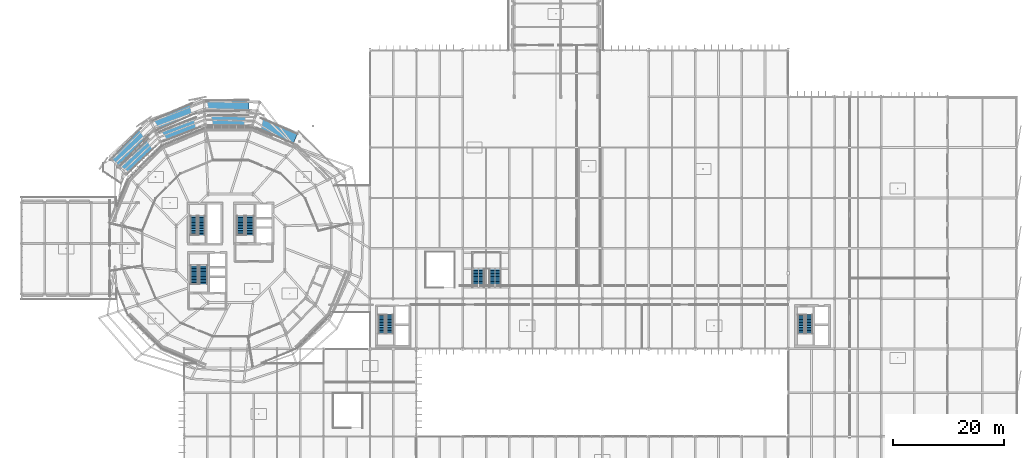
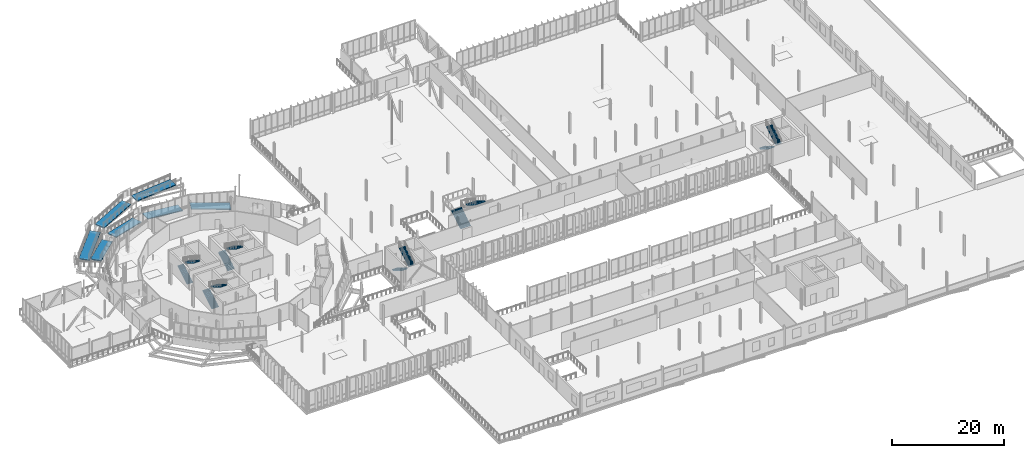
# One storey, part 109 of 139: 12 stair flights, 7 ramp flights, 7 elements without a shape of their own.
"""IFC4 building model written with IfcOpenShell, lengths in metres."""

from ifc_helpers import new_model, si_unit, derived_unit, direction, frame, origin, place, context, subcontext, project, spatial, polyline, outline, extrude, material, layer, layer_set, type_object, element, aggregate, save


model = new_model("IFC4")

# Units and contexts
model_context = context("Model", 3, precision=1e-05, world=origin(), true_north=direction((0.0, 1.0)))
body_context = subcontext(model_context, "Body", "Model", "MODEL_VIEW")
ifc_project = project(units=[si_unit("LENGTHUNIT", "METRE"), si_unit("AREAUNIT", "SQUARE_METRE"), si_unit("VOLUMEUNIT", "CUBIC_METRE"), si_unit("PLANEANGLEUNIT", "RADIAN"), si_unit("MASSUNIT", "GRAM", prefix="KILO"), derived_unit("THERMALTRANSMITTANCEUNIT", [(si_unit("MASSUNIT", "GRAM", prefix="KILO"), 1), (si_unit("TIMEUNIT", "SECOND"), -3), (si_unit("THERMODYNAMICTEMPERATUREUNIT", "KELVIN"), -1)])], contexts=[model_context])

# Site, building, storey
site_placement = place(None, origin())
site = spatial("IfcSite", under=ifc_project, at=site_placement, CompositionType="ELEMENT")
building_placement = place(site_placement, origin())
building = spatial("IfcBuilding", under=site, at=building_placement, Name="Makaiwela Harbour Ferry Terminal", CompositionType="ELEMENT")
storey_placement = place(building_placement, frame((0.0, 0.0, 5.10009765625)))
storey = spatial("IfcBuildingStorey", under=building, at=storey_placement, Name="L01", CompositionType="ELEMENT", Elevation=5.10009765625)

# Stair, stair flights
ifc_material = material(Name="Concrete f'c 35 MPa (5000 psi)", Category="concrete")
stair_type_1 = type_object("IfcStairType", Name="CIR-STR-A02", PredefinedType="HALF_TURN_STAIR", material=ifc_material)
stair_1_placement = place(storey_placement, origin())
stair_1 = element("IfcStair", 1, at=stair_1_placement, inside=storey, type_object=stair_type_1, Name="Stair ST-01-L01", PredefinedType="HALF_TURN_STAIR")
stair_flight_type_1 = type_object("IfcStairFlightType", Name="CIR-FLT-F02", PredefinedType="STRAIGHT", material=ifc_material)
stair_flight_1_placement = place(storey_placement, frame((39.657958984375, 70.0, 0.0), z_axis=(0.0, 0.0, 1.0), x_axis=(0.0, 1.0, 0.0)))
stair_flight_1 = element("IfcStairFlight", 2, at=stair_flight_1_placement, type_object=stair_flight_type_1, Name="Stair Flight ST-01-L01-F1", NumberOfRisers=13, NumberOfTreads=12, PredefinedType="STRAIGHT", RiserHeight=0.173077, TreadLength=0.285, context=body_context, shape_type="SweptSolid", body=[
    extrude(outline(polyline([(0.0, 0.0), (0.0, 0.173095703125), (0.284912109375, 0.173095703125), (0.284912109375, 0.34619140625), (0.570068359375, 0.34619140625), (0.570068359375, 0.519287109375), (0.85498046875, 0.519287109375), (0.85498046875, 0.6923828125), (1.139892578125, 0.6923828125), (1.139892578125, 0.865478515625), (1.425048828125, 0.865478515625), (1.425048828125, 1.03857421875), (1.7099609375, 1.03857421875), (1.7099609375, 1.21142578125), (1.9951171875, 1.21142578125), (1.9951171875, 1.384521484375), (2.280029296875, 1.384521484375), (2.280029296875, 1.5576171875), (2.56494140625, 1.5576171875), (2.56494140625, 1.730712890625), (2.85009765625, 1.730712890625), (2.85009765625, 1.90380859375), (3.135009765625, 1.90380859375), (3.135009765625, 2.076904296875), (3.419921875, 2.076904296875), (3.419921875, 2.25), (3.419921875, 1.866455078125), (0.3466796875, 0.0), (0.0, 0.0)])), frame((0.0, 0.697998046875, 0.0), z_axis=(0.0, -1.0, 0.0), x_axis=(1.0, 0.0, 0.0)), (0.0, 0.0, 1.0), 1.39599609375),
])
stair_flight_2_placement = place(storey_placement, frame((41.333984375, 73.419921875, 2.25), z_axis=(0.0, 0.0, 1.0), x_axis=(0.0, -1.0, 0.0)))
stair_flight_2 = element("IfcStairFlight", 3, at=stair_flight_2_placement, type_object=stair_flight_type_1, Name="Stair Flight ST-01-L01-F2", NumberOfRisers=13, NumberOfTreads=12, PredefinedType="STRAIGHT", RiserHeight=0.173077, TreadLength=0.285, context=body_context, shape_type="SweptSolid", body=[
    extrude(outline(polyline([(0.0, 0.0), (0.0, 0.173095703125), (0.284912109375, 0.173095703125), (0.284912109375, 0.34619140625), (0.570068359375, 0.34619140625), (0.570068359375, 0.519287109375), (0.85498046875, 0.519287109375), (0.85498046875, 0.6923828125), (1.139892578125, 0.6923828125), (1.139892578125, 0.865478515625), (1.425048828125, 0.865478515625), (1.425048828125, 1.03857421875), (1.7099609375, 1.03857421875), (1.7099609375, 1.21142578125), (1.9951171875, 1.21142578125), (1.9951171875, 1.384521484375), (2.280029296875, 1.384521484375), (2.280029296875, 1.5576171875), (2.56494140625, 1.5576171875), (2.56494140625, 1.730712890625), (2.85009765625, 1.730712890625), (2.85009765625, 1.90380859375), (3.135009765625, 1.90380859375), (3.135009765625, 2.076904296875), (3.419921875, 2.076904296875), (3.419921875, 2.25), (3.419921875, 1.866455078125), (0.3466796875, 0.0), (0.0, 0.0)])), frame((0.0, 0.697998046875, 0.0), z_axis=(0.0, -1.0, 0.0), x_axis=(1.0, 0.0, 0.0)), (0.0, 0.0, 1.0), 1.39599609375),
])
aggregate(stair_1, [stair_flight_1, stair_flight_2])

stair_2_placement = place(storey_placement, origin())
stair_2 = element("IfcStair", 4, at=stair_2_placement, inside=storey, type_object=stair_type_1, Name="Stair ST-02-L01", PredefinedType="HALF_TURN_STAIR")
stair_flight_3_placement = place(storey_placement, frame((31.258056640625, 61.10009765625, 0.0), z_axis=(0.0, 0.0, 1.0), x_axis=(0.0, 1.0, 0.0)))
stair_flight_3 = element("IfcStairFlight", 5, at=stair_flight_3_placement, type_object=stair_flight_type_1, Name="Stair Flight ST-02-L01-F1", NumberOfRisers=13, NumberOfTreads=12, PredefinedType="STRAIGHT", RiserHeight=0.173077, TreadLength=0.285, context=body_context, shape_type="SweptSolid", body=[
    extrude(outline(polyline([(0.0, 0.0), (0.0, 0.173095703125), (0.284912109375, 0.173095703125), (0.284912109375, 0.34619140625), (0.570068359375, 0.34619140625), (0.570068359375, 0.519287109375), (0.85498046875, 0.519287109375), (0.85498046875, 0.6923828125), (1.139892578125, 0.6923828125), (1.139892578125, 0.865478515625), (1.425048828125, 0.865478515625), (1.425048828125, 1.03857421875), (1.7099609375, 1.03857421875), (1.7099609375, 1.21142578125), (1.9951171875, 1.21142578125), (1.9951171875, 1.384521484375), (2.280029296875, 1.384521484375), (2.280029296875, 1.5576171875), (2.56494140625, 1.5576171875), (2.56494140625, 1.730712890625), (2.85009765625, 1.730712890625), (2.85009765625, 1.90380859375), (3.135009765625, 1.90380859375), (3.135009765625, 2.076904296875), (3.419921875, 2.076904296875), (3.419921875, 2.25), (3.419921875, 1.866455078125), (0.3466796875, 0.0), (0.0, 0.0)])), frame((0.0, 0.697998046875, 0.0), z_axis=(0.0, -1.0, 0.0), x_axis=(1.0, 0.0, 0.0)), (0.0, 0.0, 1.0), 1.39599609375),
])
stair_flight_4_placement = place(storey_placement, frame((32.93408203125, 64.52001953125, 2.25), z_axis=(0.0, 0.0, 1.0), x_axis=(0.0, -1.0, 0.0)))
stair_flight_4 = element("IfcStairFlight", 6, at=stair_flight_4_placement, type_object=stair_flight_type_1, Name="Stair Flight ST-02-L01-F2", NumberOfRisers=13, NumberOfTreads=12, PredefinedType="STRAIGHT", RiserHeight=0.173077, TreadLength=0.285, context=body_context, shape_type="SweptSolid", body=[
    extrude(outline(polyline([(0.0, 0.0), (0.0, 0.173095703125), (0.284912109375, 0.173095703125), (0.284912109375, 0.34619140625), (0.570068359375, 0.34619140625), (0.570068359375, 0.519287109375), (0.85498046875, 0.519287109375), (0.85498046875, 0.6923828125), (1.139892578125, 0.6923828125), (1.139892578125, 0.865478515625), (1.425048828125, 0.865478515625), (1.425048828125, 1.03857421875), (1.7099609375, 1.03857421875), (1.7099609375, 1.21142578125), (1.9951171875, 1.21142578125), (1.9951171875, 1.384521484375), (2.280029296875, 1.384521484375), (2.280029296875, 1.5576171875), (2.56494140625, 1.5576171875), (2.56494140625, 1.730712890625), (2.85009765625, 1.730712890625), (2.85009765625, 1.90380859375), (3.135009765625, 1.90380859375), (3.135009765625, 2.076904296875), (3.419921875, 2.076904296875), (3.419921875, 2.25), (3.419921875, 1.866455078125), (0.3466796875, 0.0), (0.0, 0.0)])), frame((0.0, 0.697998046875, 0.0), z_axis=(0.0, -1.0, 0.0), x_axis=(1.0, 0.0, 0.0)), (0.0, 0.0, 1.0), 1.39599609375),
])
aggregate(stair_2, [stair_flight_3, stair_flight_4])

stair_type_2 = type_object("IfcStairType", Name="CIR-STR-A06", PredefinedType="HALF_TURN_STAIR", material=ifc_material)
stair_3_placement = place(storey_placement, origin())
stair_3 = element("IfcStair", 7, at=stair_3_placement, inside=storey, type_object=stair_type_2, Name="Stair ST-03-L01", PredefinedType="HALF_TURN_STAIR")
stair_flight_type_2 = type_object("IfcStairFlightType", Name="CIR-FLT-F06", PredefinedType="STRAIGHT", material=ifc_material)
stair_flight_5_placement = place(storey_placement, frame((31.14990234375, 70.0, 0.0), z_axis=(0.0, 0.0, 1.0), x_axis=(0.0, 1.0, 0.0)))
stair_flight_5 = element("IfcStairFlight", 8, at=stair_flight_5_placement, type_object=stair_flight_type_2, Name="Stair Flight ST-03-L01-F1", NumberOfRisers=13, NumberOfTreads=12, PredefinedType="STRAIGHT", RiserHeight=0.173077, TreadLength=0.285, context=body_context, shape_type="SweptSolid", body=[
    extrude(outline(polyline([(0.0, 0.0), (0.0, 0.173095703125), (0.284912109375, 0.173095703125), (0.284912109375, 0.34619140625), (0.570068359375, 0.34619140625), (0.570068359375, 0.519287109375), (0.85498046875, 0.519287109375), (0.85498046875, 0.6923828125), (1.139892578125, 0.6923828125), (1.139892578125, 0.865478515625), (1.425048828125, 0.865478515625), (1.425048828125, 1.03857421875), (1.7099609375, 1.03857421875), (1.7099609375, 1.21142578125), (1.9951171875, 1.21142578125), (1.9951171875, 1.384521484375), (2.280029296875, 1.384521484375), (2.280029296875, 1.5576171875), (2.56494140625, 1.5576171875), (2.56494140625, 1.730712890625), (2.85009765625, 1.730712890625), (2.85009765625, 1.90380859375), (3.135009765625, 1.90380859375), (3.135009765625, 2.076904296875), (3.419921875, 2.076904296875), (3.419921875, 2.25), (3.419921875, 1.866455078125), (0.3466796875, 0.0), (0.0, 0.0)])), frame((0.0, 0.58984375, 0.0), z_axis=(0.0, -1.0, 0.0), x_axis=(1.0, 0.0, 0.0)), (0.0, 0.0, 1.0), 1.179931640625),
])
stair_flight_6_placement = place(storey_placement, frame((32.610107421875, 73.419921875, 2.25), z_axis=(0.0, 0.0, 1.0), x_axis=(0.0, -1.0, 0.0)))
stair_flight_6 = element("IfcStairFlight", 9, at=stair_flight_6_placement, type_object=stair_flight_type_2, Name="Stair Flight ST-03-L01-F2", NumberOfRisers=13, NumberOfTreads=12, PredefinedType="STRAIGHT", RiserHeight=0.173077, TreadLength=0.285, context=body_context, shape_type="SweptSolid", body=[
    extrude(outline(polyline([(0.0, 0.0), (0.0, 0.173095703125), (0.284912109375, 0.173095703125), (0.284912109375, 0.34619140625), (0.570068359375, 0.34619140625), (0.570068359375, 0.519287109375), (0.85498046875, 0.519287109375), (0.85498046875, 0.6923828125), (1.139892578125, 0.6923828125), (1.139892578125, 0.865478515625), (1.425048828125, 0.865478515625), (1.425048828125, 1.03857421875), (1.7099609375, 1.03857421875), (1.7099609375, 1.21142578125), (1.9951171875, 1.21142578125), (1.9951171875, 1.384521484375), (2.280029296875, 1.384521484375), (2.280029296875, 1.5576171875), (2.56494140625, 1.5576171875), (2.56494140625, 1.730712890625), (2.85009765625, 1.730712890625), (2.85009765625, 1.90380859375), (3.135009765625, 1.90380859375), (3.135009765625, 2.076904296875), (3.419921875, 2.076904296875), (3.419921875, 2.25), (3.419921875, 1.866455078125), (0.3466796875, 0.0), (0.0, 0.0)])), frame((0.0, 0.58984375, 0.0), z_axis=(0.0, -1.0, 0.0), x_axis=(1.0, 0.0, 0.0)), (0.0, 0.0, 1.0), 1.179931640625),
])
aggregate(stair_3, [stair_flight_5, stair_flight_6])

stair_4_placement = place(storey_placement, origin())
stair_4 = element("IfcStair", 10, at=stair_4_placement, inside=storey, type_object=stair_type_2, Name="Stair ST-04-L01", PredefinedType="HALF_TURN_STAIR")
stair_flight_7_placement = place(storey_placement, frame((65.14990234375, 55.60009765625, 0.0), z_axis=(0.0, 0.0, 1.0), x_axis=(0.0, -1.0, 0.0)))
stair_flight_7 = element("IfcStairFlight", 11, at=stair_flight_7_placement, type_object=stair_flight_type_2, Name="Stair Flight ST-04-L01-F1", NumberOfRisers=13, NumberOfTreads=12, PredefinedType="STRAIGHT", RiserHeight=0.173077, TreadLength=0.285, context=body_context, shape_type="SweptSolid", body=[
    extrude(outline(polyline([(0.0, 0.0), (0.0, 0.173095703125), (0.284912109375, 0.173095703125), (0.284912109375, 0.34619140625), (0.570068359375, 0.34619140625), (0.570068359375, 0.519287109375), (0.85498046875, 0.519287109375), (0.85498046875, 0.6923828125), (1.139892578125, 0.6923828125), (1.139892578125, 0.865478515625), (1.425048828125, 0.865478515625), (1.425048828125, 1.03857421875), (1.7099609375, 1.03857421875), (1.7099609375, 1.21142578125), (1.9951171875, 1.21142578125), (1.9951171875, 1.384521484375), (2.280029296875, 1.384521484375), (2.280029296875, 1.5576171875), (2.56494140625, 1.5576171875), (2.56494140625, 1.730712890625), (2.85009765625, 1.730712890625), (2.85009765625, 1.90380859375), (3.135009765625, 1.90380859375), (3.135009765625, 2.076904296875), (3.419921875, 2.076904296875), (3.419921875, 2.25), (3.419921875, 1.866455078125), (0.3466796875, 0.0), (0.0, 0.0)])), frame((0.0, 0.58984375, 0.0), z_axis=(0.0, -1.0, 0.0), x_axis=(1.0, 0.0, 0.0)), (0.0, 0.0, 1.0), 1.179931640625),
])
stair_flight_8_placement = place(storey_placement, frame((66.610107421875, 52.179931640625, 2.25), z_axis=(0.0, 0.0, 1.0), x_axis=(0.0, 1.0, 0.0)))
stair_flight_8 = element("IfcStairFlight", 12, at=stair_flight_8_placement, type_object=stair_flight_type_2, Name="Stair Flight ST-04-L01-F2", NumberOfRisers=13, NumberOfTreads=12, PredefinedType="STRAIGHT", RiserHeight=0.173077, TreadLength=0.285, context=body_context, shape_type="SweptSolid", body=[
    extrude(outline(polyline([(0.0, 0.0), (0.0, 0.173095703125), (0.284912109375, 0.173095703125), (0.284912109375, 0.34619140625), (0.570068359375, 0.34619140625), (0.570068359375, 0.519287109375), (0.85498046875, 0.519287109375), (0.85498046875, 0.6923828125), (1.139892578125, 0.6923828125), (1.139892578125, 0.865478515625), (1.425048828125, 0.865478515625), (1.425048828125, 1.03857421875), (1.7099609375, 1.03857421875), (1.7099609375, 1.21142578125), (1.9951171875, 1.21142578125), (1.9951171875, 1.384521484375), (2.280029296875, 1.384521484375), (2.280029296875, 1.5576171875), (2.56494140625, 1.5576171875), (2.56494140625, 1.730712890625), (2.85009765625, 1.730712890625), (2.85009765625, 1.90380859375), (3.135009765625, 1.90380859375), (3.135009765625, 2.076904296875), (3.419921875, 2.076904296875), (3.419921875, 2.25), (3.419921875, 1.866455078125), (0.3466796875, 0.0), (0.0, 0.0)])), frame((0.0, 0.58984375, 0.0), z_axis=(0.0, -1.0, 0.0), x_axis=(1.0, 0.0, 0.0)), (0.0, 0.0, 1.0), 1.179931640625),
])
aggregate(stair_4, [stair_flight_7, stair_flight_8])

stair_5_placement = place(storey_placement, origin())
stair_5 = element("IfcStair", 13, at=stair_5_placement, inside=storey, type_object=stair_type_2, Name="Stair ST-05-L01", PredefinedType="HALF_TURN_STAIR")
stair_flight_9_placement = place(storey_placement, frame((140.949951171875, 55.60009765625, 0.0), z_axis=(0.0, 0.0, 1.0), x_axis=(0.0, -1.0, 0.0)))
stair_flight_9 = element("IfcStairFlight", 14, at=stair_flight_9_placement, type_object=stair_flight_type_2, Name="Stair Flight ST-05-L01-F1", NumberOfRisers=13, NumberOfTreads=12, PredefinedType="STRAIGHT", RiserHeight=0.173077, TreadLength=0.285, context=body_context, shape_type="SweptSolid", body=[
    extrude(outline(polyline([(0.0, 0.0), (0.0, 0.173095703125), (0.284912109375, 0.173095703125), (0.284912109375, 0.34619140625), (0.570068359375, 0.34619140625), (0.570068359375, 0.519287109375), (0.85498046875, 0.519287109375), (0.85498046875, 0.6923828125), (1.139892578125, 0.6923828125), (1.139892578125, 0.865478515625), (1.425048828125, 0.865478515625), (1.425048828125, 1.03857421875), (1.7099609375, 1.03857421875), (1.7099609375, 1.21142578125), (1.9951171875, 1.21142578125), (1.9951171875, 1.384521484375), (2.280029296875, 1.384521484375), (2.280029296875, 1.5576171875), (2.56494140625, 1.5576171875), (2.56494140625, 1.730712890625), (2.85009765625, 1.730712890625), (2.85009765625, 1.90380859375), (3.135009765625, 1.90380859375), (3.135009765625, 2.076904296875), (3.419921875, 2.076904296875), (3.419921875, 2.25), (3.419921875, 1.866455078125), (0.3466796875, 0.0), (0.0, 0.0)])), frame((0.0, 0.58984375, 0.0), z_axis=(0.0, -1.0, 0.0), x_axis=(1.0, 0.0, 0.0)), (0.0, 0.0, 1.0), 1.179931640625),
])
stair_flight_10_placement = place(storey_placement, frame((142.409912109375, 52.179931640625, 2.25), z_axis=(0.0, 0.0, 1.0), x_axis=(0.0, 1.0, 0.0)))
stair_flight_10 = element("IfcStairFlight", 15, at=stair_flight_10_placement, type_object=stair_flight_type_2, Name="Stair Flight ST-05-L01-F2", NumberOfRisers=13, NumberOfTreads=12, PredefinedType="STRAIGHT", RiserHeight=0.173077, TreadLength=0.285, context=body_context, shape_type="SweptSolid", body=[
    extrude(outline(polyline([(0.0, 0.0), (0.0, 0.173095703125), (0.284912109375, 0.173095703125), (0.284912109375, 0.34619140625), (0.570068359375, 0.34619140625), (0.570068359375, 0.519287109375), (0.85498046875, 0.519287109375), (0.85498046875, 0.6923828125), (1.139892578125, 0.6923828125), (1.139892578125, 0.865478515625), (1.425048828125, 0.865478515625), (1.425048828125, 1.03857421875), (1.7099609375, 1.03857421875), (1.7099609375, 1.21142578125), (1.9951171875, 1.21142578125), (1.9951171875, 1.384521484375), (2.280029296875, 1.384521484375), (2.280029296875, 1.5576171875), (2.56494140625, 1.5576171875), (2.56494140625, 1.730712890625), (2.85009765625, 1.730712890625), (2.85009765625, 1.90380859375), (3.135009765625, 1.90380859375), (3.135009765625, 2.076904296875), (3.419921875, 2.076904296875), (3.419921875, 2.25), (3.419921875, 1.866455078125), (0.3466796875, 0.0), (0.0, 0.0)])), frame((0.0, 0.58984375, 0.0), z_axis=(0.0, -1.0, 0.0), x_axis=(1.0, 0.0, 0.0)), (0.0, 0.0, 1.0), 1.179931640625),
])
aggregate(stair_5, [stair_flight_9, stair_flight_10])

stair_type_3 = type_object("IfcStairType", Name="CIR-STR-A11", PredefinedType="STRAIGHT_RUN_STAIR", material=ifc_material)
stair_6_placement = place(storey_placement, origin())
stair_6 = element("IfcStair", 16, at=stair_6_placement, inside=storey, type_object=stair_type_3, Name="Stair ST-09-L01", PredefinedType="STRAIGHT_RUN_STAIR")
stair_flight_type_3 = type_object("IfcStairFlightType", Name="CIR-FLT-F11", PredefinedType="STRAIGHT", material=ifc_material)
stair_flight_11_placement = place(storey_placement, frame((82.590087890625, 60.47998046875, 0.0), z_axis=(0.0, 0.0, 1.0), x_axis=(0.0, 1.0, 0.0)))
stair_flight_11 = element("IfcStairFlight", 17, at=stair_flight_11_placement, type_object=stair_flight_type_3, Name="Stair Flight ST-09-L01-F1", NumberOfRisers=13, NumberOfTreads=12, PredefinedType="STRAIGHT", RiserHeight=0.173077, TreadLength=0.285, context=body_context, shape_type="SweptSolid", body=[
    extrude(outline(polyline([(0.0, 0.0), (0.0, 0.173095703125), (0.284912109375, 0.173095703125), (0.284912109375, 0.34619140625), (0.570068359375, 0.34619140625), (0.570068359375, 0.519287109375), (0.85498046875, 0.519287109375), (0.85498046875, 0.6923828125), (1.139892578125, 0.6923828125), (1.139892578125, 0.865478515625), (1.425048828125, 0.865478515625), (1.425048828125, 1.03857421875), (1.7099609375, 1.03857421875), (1.7099609375, 1.21142578125), (1.9951171875, 1.21142578125), (1.9951171875, 1.384521484375), (2.280029296875, 1.384521484375), (2.280029296875, 1.5576171875), (2.56494140625, 1.5576171875), (2.56494140625, 1.730712890625), (2.85009765625, 1.730712890625), (2.85009765625, 1.90380859375), (3.135009765625, 1.90380859375), (3.135009765625, 2.076904296875), (3.419921875, 2.076904296875), (3.419921875, 2.25), (3.419921875, 1.866455078125), (0.3466796875, 0.0), (0.0, 0.0)])), frame((0.0, 1.050048828125, 0.0), z_axis=(0.0, -1.0, 0.0), x_axis=(1.0, 0.0, 0.0)), (0.0, 0.0, 1.0), 2.10009765625),
])
stair_flight_12_placement = place(storey_placement, frame((85.610107421875, 63.89990234375, 2.25), z_axis=(0.0, 0.0, 1.0), x_axis=(0.0, -1.0, 0.0)))
stair_flight_12 = element("IfcStairFlight", 18, at=stair_flight_12_placement, type_object=stair_flight_type_3, Name="Stair Flight ST-09-L01-F2", NumberOfRisers=13, NumberOfTreads=12, PredefinedType="STRAIGHT", RiserHeight=0.173077, TreadLength=0.285, context=body_context, shape_type="SweptSolid", body=[
    extrude(outline(polyline([(0.0, 0.0), (0.0, 0.173095703125), (0.284912109375, 0.173095703125), (0.284912109375, 0.34619140625), (0.570068359375, 0.34619140625), (0.570068359375, 0.519287109375), (0.85498046875, 0.519287109375), (0.85498046875, 0.6923828125), (1.139892578125, 0.6923828125), (1.139892578125, 0.865478515625), (1.425048828125, 0.865478515625), (1.425048828125, 1.03857421875), (1.7099609375, 1.03857421875), (1.7099609375, 1.21142578125), (1.9951171875, 1.21142578125), (1.9951171875, 1.384521484375), (2.280029296875, 1.384521484375), (2.280029296875, 1.5576171875), (2.56494140625, 1.5576171875), (2.56494140625, 1.730712890625), (2.85009765625, 1.730712890625), (2.85009765625, 1.90380859375), (3.135009765625, 1.90380859375), (3.135009765625, 2.076904296875), (3.419921875, 2.076904296875), (3.419921875, 2.25), (3.419921875, 1.866455078125), (0.3466796875, 0.0), (0.0, 0.0)])), frame((0.0, 1.050048828125, 0.0), z_axis=(0.0, -1.0, 0.0), x_axis=(1.0, 0.0, 0.0)), (0.0, 0.0, 1.0), 2.10009765625),
])
aggregate(stair_6, [stair_flight_11, stair_flight_12])

# Ramp, ramp flights
ramp_type = type_object("IfcRampType", Name="CIR-RMP-ASSY", PredefinedType="STRAIGHT_RUN_RAMP", material=ifc_material)
ramp_placement = place(storey_placement, origin())
ramp = element("IfcRamp", 19, at=ramp_placement, inside=storey, type_object=ramp_type, Name="External Coiled Promenade Ramp L01 to L02", PredefinedType="STRAIGHT_RUN_RAMP")
ifc_layer = layer(ifc_material, 0.179931640625)
ifc_layer_set = layer_set([ifc_layer], Name="Concrete f'c 35 MPa (5000 psi)")
ramp_flight_type = type_object("IfcRampFlightType", Name="CIR-RMP-FLT", PredefinedType="STRAIGHT", material=ifc_layer_set)
ramp_flight_1_placement = place(storey_placement, frame((49.526611328125, 87.385009765625, 0.0), z_axis=(0.0, 0.0, 1.0), x_axis=(-0.919622799849, 0.392802629825, 0.0)))
ramp_flight_1 = element("IfcRampFlight", 20, at=ramp_flight_1_placement, type_object=ramp_flight_type, Name="Ramp Flight L01-FI1", PredefinedType="STRAIGHT", context=body_context, shape_type="SweptSolid", body=[
    extrude(outline(polyline([(0.0, 0.0), (7.226318359375, 0.642822265625), (7.226318359375, 0.462158203125), (0.0, -0.1806640625), (0.0, 0.0)])), frame((0.0, 1.0, 0.0), z_axis=(0.0, -1.0, 0.0), x_axis=(1.0, 0.0, 0.0)), (0.0, 0.0, 1.0), 2.0),
])
ramp_flight_2_placement = place(storey_placement, frame((41.057861328125, 90.6103515625, 0.642822265625), z_axis=(0.0, 0.0, 1.0), x_axis=(-0.999897089207, 0.014346114308, 0.0)))
ramp_flight_2 = element("IfcRampFlight", 21, at=ramp_flight_2_placement, type_object=ramp_flight_type, Name="Ramp Flight L01-FI2", PredefinedType="STRAIGHT", context=body_context, shape_type="SweptSolid", body=[
    extrude(outline(polyline([(0.0, 0.0), (7.247314453125, 0.642822265625), (7.247314453125, 0.462158203125), (0.0, -0.1806640625), (0.0, 0.0)])), frame((0.0, 1.0, 0.0), z_axis=(0.0, -1.0, 0.0), x_axis=(1.0, 0.0, 0.0)), (0.0, 0.0, 1.0), 2.0),
])
ramp_flight_3_placement = place(storey_placement, frame((31.9775390625, 90.37939453125, 1.28564453125), z_axis=(0.0, 0.0, 1.0), x_axis=(-0.930219135561, -0.367004577405, 0.0)))
ramp_flight_3 = element("IfcRampFlight", 22, at=ramp_flight_3_placement, type_object=ramp_flight_type, Name="Ramp Flight L01-FI3", PredefinedType="STRAIGHT", context=body_context, shape_type="SweptSolid", body=[
    extrude(outline(polyline([(0.0, 0.0), (7.2578125, 0.642822265625), (7.2578125, 0.462158203125), (0.0, -0.1806640625), (0.0, 0.0)])), frame((0.0, 1.0, 0.0), z_axis=(0.0, -1.0, 0.0), x_axis=(1.0, 0.0, 0.0)), (0.0, 0.0, 1.0), 2.0),
])
ramp_flight_4_placement = place(storey_placement, frame((23.658447265625, 86.707763671875, 1.928466796875), z_axis=(0.0, 0.0, 1.0), x_axis=(-0.719945730144, -0.694030363635, 0.0)))
ramp_flight_4 = element("IfcRampFlight", 23, at=ramp_flight_4_placement, type_object=ramp_flight_type, Name="Ramp Flight L01-FI4", PredefinedType="STRAIGHT", context=body_context, shape_type="SweptSolid", body=[
    extrude(outline(polyline([(0.0, 0.0), (7.260498046875, 0.642822265625), (7.260498046875, 0.462158203125), (0.0, -0.1806640625), (0.0, 0.0)])), frame((0.0, 1.0, 0.0), z_axis=(0.0, -1.0, 0.0), x_axis=(1.0, 0.0, 0.0)), (0.0, 0.0, 1.0), 2.0),
])
ramp_flight_5_placement = place(storey_placement, frame((16.69482421875, 82.8369140625, 2.5712890625), z_axis=(0.0, 0.0, 1.0), x_axis=(0.695097660502, 0.718915323501, 0.0)))
ramp_flight_5 = element("IfcRampFlight", 24, at=ramp_flight_5_placement, type_object=ramp_flight_type, Name="Ramp Flight L01-FO1", PredefinedType="STRAIGHT", context=body_context, shape_type="SweptSolid", body=[
    extrude(outline(polyline([(0.0, 0.0), (8.0634765625, 0.642822265625), (8.0634765625, 0.46240234375), (0.0, -0.180419921875), (0.0, 0.0)])), frame((0.0, 1.0, 0.0), z_axis=(0.0, -1.0, 0.0), x_axis=(1.0, 0.0, 0.0)), (0.0, 0.0, 1.0), 2.0),
])
ramp_flight_6_placement = place(storey_placement, frame((23.831787109375, 89.69384765625, 3.214111328125), z_axis=(0.0, 0.0, 1.0), x_axis=(0.917816998206, 0.397003725176, 0.0)))
ramp_flight_6 = element("IfcRampFlight", 25, at=ramp_flight_6_placement, type_object=ramp_flight_type, Name="Ramp Flight L01-FO2", PredefinedType="STRAIGHT", context=body_context, shape_type="SweptSolid", body=[
    extrude(outline(polyline([(0.0, 0.0), (8.06591796875, 0.642822265625), (8.06591796875, 0.46240234375), (0.0, -0.180419921875), (0.0, 0.0)])), frame((0.0, 1.0, 0.0), z_axis=(0.0, -1.0, 0.0), x_axis=(1.0, 0.0, 0.0)), (0.0, 0.0, 1.0), 2.0),
])
ramp_flight_7_placement = place(storey_placement, frame((33.056640625, 93.28564453125, 3.85693359375), z_axis=(0.0, 0.0, 1.0), x_axis=(0.999913411311, 0.013159402728, 0.0)))
ramp_flight_7 = element("IfcRampFlight", 26, at=ramp_flight_7_placement, type_object=ramp_flight_type, Name="Ramp Flight L01-FO3", PredefinedType="STRAIGHT", context=body_context, shape_type="SweptSolid", body=[
    extrude(outline(polyline([(0.0, 0.0), (8.075439453125, 0.642822265625), (8.075439453125, 0.46240234375), (0.0, -0.180419921875), (0.0, 0.0)])), frame((0.0, 1.0, 0.0), z_axis=(0.0, -1.0, 0.0), x_axis=(1.0, 0.0, 0.0)), (0.0, 0.0, 1.0), 2.0),
])
aggregate(ramp, [ramp_flight_1, ramp_flight_2, ramp_flight_3, ramp_flight_4, ramp_flight_5, ramp_flight_6, ramp_flight_7])

save(model, "model.ifc")
